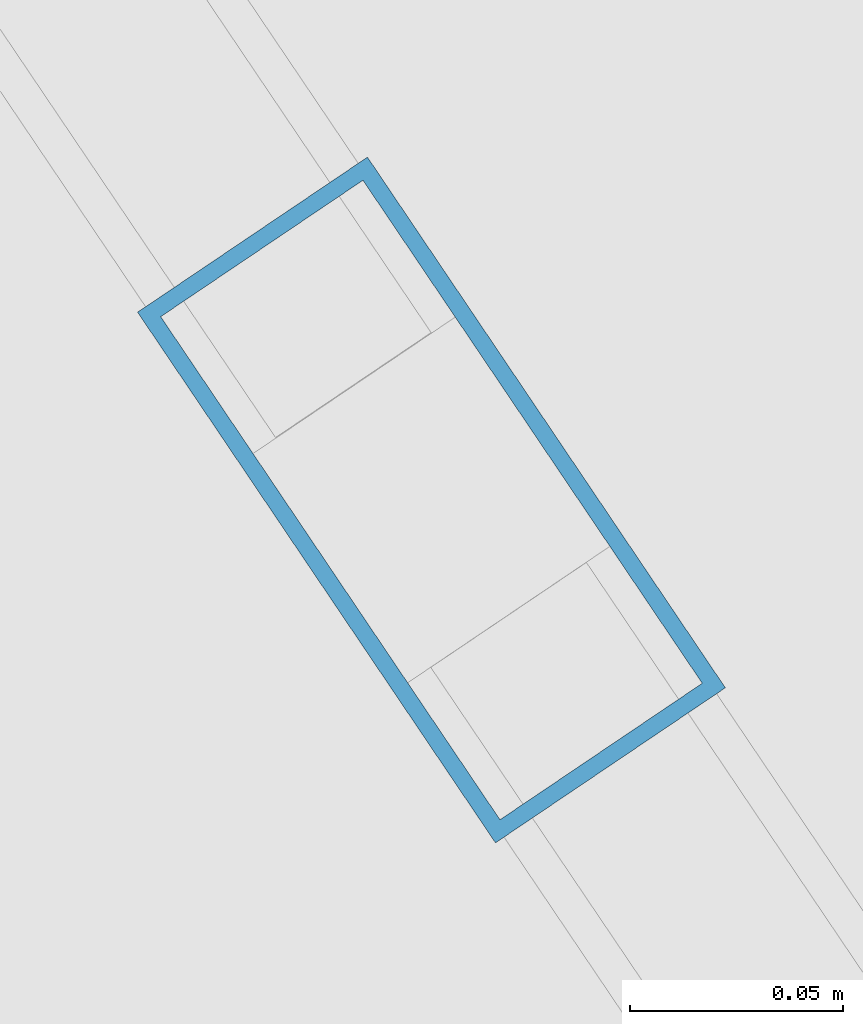
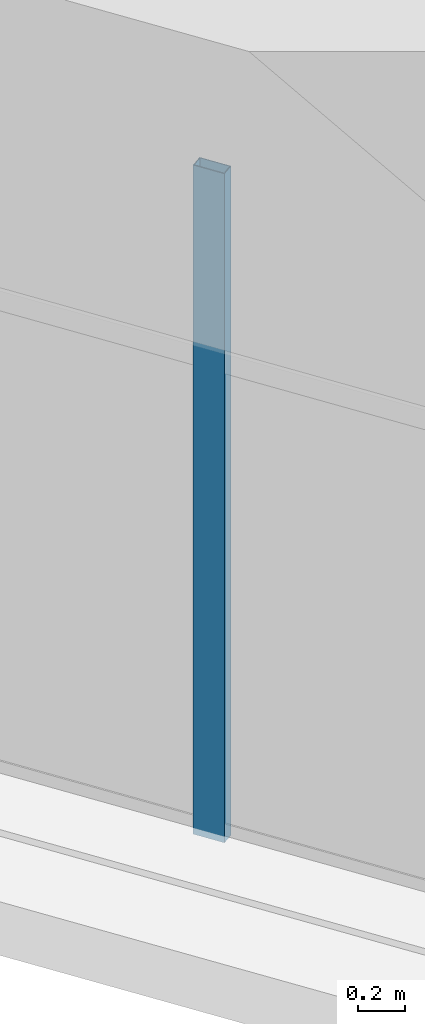
# One storey, part 6 of 40: 1 member, 1 element without a shape of its own.
"""IFC4 building model written with IfcOpenShell, lengths in metres."""

from ifc_helpers import new_model, si_unit, direction, frame, origin, origin_2d, place, context, subcontext, project, spatial, hollow_rectangle, extrude, source, transform, mapped, material, layer, layer_set, material_profile, profile_set, type_object, element, aggregate, save


model = new_model("IFC4")

# Units and contexts
model_context = context("Model", 3, precision=1e-05, world=origin(), true_north=direction((0.0, 1.0)))
body_context = subcontext(model_context, "Body", "Model", "MODEL_VIEW")
ifc_project = project(units=[si_unit("LENGTHUNIT", "METRE"), si_unit("AREAUNIT", "SQUARE_METRE"), si_unit("VOLUMEUNIT", "CUBIC_METRE"), si_unit("PLANEANGLEUNIT", "RADIAN"), si_unit("MASSUNIT", "GRAM", prefix="KILO")], contexts=[model_context])

# Site, building, storey
site_placement = place(None, origin())
site = spatial("IfcSite", under=ifc_project, at=site_placement, CompositionType="ELEMENT")
building_placement = place(site_placement, origin())
building = spatial("IfcBuilding", under=site, at=building_placement, Name="Liaohun Quay Tower", CompositionType="ELEMENT")
storey_placement = place(building_placement, frame((0.0, 0.0, 351.0)))
storey = spatial("IfcBuildingStorey", under=building, at=storey_placement, Name="L91", CompositionType="ELEMENT", Elevation=351.0)

# Curtain wall, member
ifc_material_1 = material(Name="Observation gallery panoramic triple-glazed curtain wall")
ifc_layer = layer(ifc_material_1, 0.219970703125, Name="Observation gallery panoramic triple-glazed curtain wall")
ifc_layer_set = layer_set([ifc_layer], Name="Observation gallery panoramic triple-glazed curtain wall")
curtain_wall_type = type_object("IfcCurtainWallType", Name="CW-OBS-CRN", PredefinedType="NOTDEFINED", material=ifc_layer_set)
curtain_wall_placement = place(storey_placement, origin())
curtain_wall = element("IfcCurtainWall", 1, at=curtain_wall_placement, inside=storey, type_object=curtain_wall_type, Name="L91 Panoramic Belvedere Curtain Wall 06", PredefinedType="NOTDEFINED")
ifc_material_2 = material(Name="Anodised aluminium 6063-T6", Category="aluminium")
ifc_material_profile = material_profile(ifc_material_2, hollow_rectangle(XDim=0.06494140625, YDim=0.14990234375, WallThickness=0.00390625, at=origin_2d()), Name="RHS150x65x4")
ifc_profile_set = profile_set([ifc_material_profile], Name="Anodised aluminium 6063-T6")
member_type = type_object("IfcMemberType", Name="MEM-CWM-SKY", PredefinedType="MULLION", material=ifc_profile_set)
shared_shape = source(origin(), body_context, "Body", "SweptSolid", [
    extrude(hollow_rectangle(XDim=0.06494140625, YDim=0.14990234375, WallThickness=0.00390625, at=origin_2d()), origin(), (0.0, 0.0, 1.0), 3.5),
])
member_placement = place(storey_placement, frame((48.026611328125, 34.54150390625, 0.0), z_axis=(0.0, 0.0, 1.0), x_axis=(0.829027517821, 0.559207809937, 0.0)))
member = element("IfcMember", 2, at=member_placement, type_object=member_type, Name="CW6 mullion 3", PredefinedType="MULLION", context=body_context, shape_type="MappedRepresentation", body=[
    mapped(shared_shape, transform((0.0, 0.0, 0.0), x_axis=(1.0, 0.0, 0.0), y_axis=(0.0, 1.0, 0.0), z_axis=(0.0, 0.0, 1.0), scale=1.0)),
])
aggregate(curtain_wall, [member])

save(model, "model.ifc")
